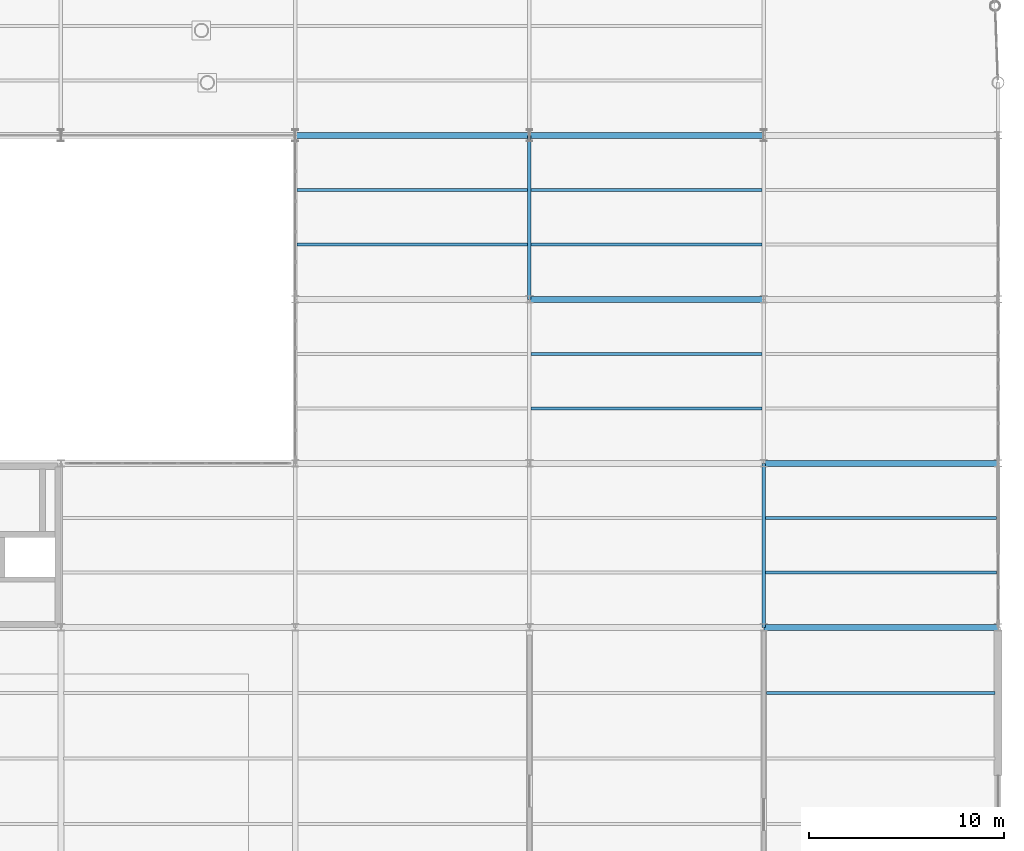
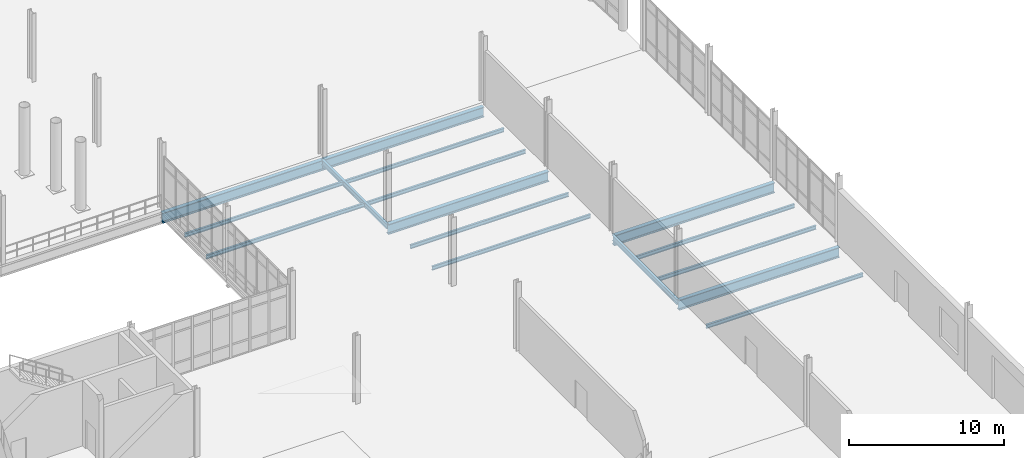
# One storey, part 68 of 111: 16 beams.
"""IFC4 building model written with IfcOpenShell, lengths in metres."""

from ifc_helpers import new_model, si_unit, direction, frame, origin, origin_2d, place, context, subcontext, project, spatial, i_section, extrude, material, material_profile, profile_set, type_object, element, save


model = new_model("IFC4")

# Units and contexts
model_context = context("Model", 3, precision=1e-05, world=origin(), true_north=direction((0.0, 1.0)))
body_context = subcontext(model_context, "Body", "Model", "MODEL_VIEW")
ifc_project = project(units=[si_unit("LENGTHUNIT", "METRE"), si_unit("AREAUNIT", "SQUARE_METRE"), si_unit("VOLUMEUNIT", "CUBIC_METRE"), si_unit("PLANEANGLEUNIT", "RADIAN"), si_unit("MASSUNIT", "GRAM", prefix="KILO"), si_unit("THERMODYNAMICTEMPERATUREUNIT", "KELVIN"), si_unit("POWERUNIT", "WATT")], contexts=[model_context])

# Site, building, storey
site_placement = place(None, origin())
site = spatial("IfcSite", under=ifc_project, at=site_placement, CompositionType="ELEMENT")
building_placement = place(site_placement, origin())
building = spatial("IfcBuilding", under=site, at=building_placement, Name="Tembeka Court Mobility Hub", CompositionType="ELEMENT")
storey_placement = place(building_placement, origin())
storey = spatial("IfcBuildingStorey", under=building, at=storey_placement, Name="L00", CompositionType="ELEMENT", Elevation=0.0)

# Beams
ifc_material = material(Name="Steel S355", Category="steel")
ifc_material_profile_1 = material_profile(ifc_material, i_section(OverallWidth=0.177978515625, OverallDepth=0.406005859375, WebThickness=0.0078125, FlangeThickness=0.0126953125, FilletRadius=0.01025390625, at=origin_2d()), Name="UKB 406x178x60")
ifc_profile_set_1 = profile_set([ifc_material_profile_1], Name="Steel S355")
beam_type_1 = type_object("IfcBeamType", Name="BM-B02", PredefinedType="BEAM", material=ifc_profile_set_1)
for number, where, z_axis, x_axis, name in (
    (1, (152.39990234375, 55.199951171875, -0.48291015625), (0.0, 1.0, 0.0), (-1.0, 0.0, 0.0), "Beam B02 (BM-L00-Y0306)"),
    (2, (164.39990234375, 38.39990234375, -0.48291015625), (0.0, 1.0, 0.0), (-1.0, 0.0, 0.0), "Beam B02 (BM-L00-Y0313)"),
):
    element("IfcBeam", number, at=place(storey_placement, frame(where, z_axis=z_axis, x_axis=x_axis)), inside=storey, type_object=beam_type_1, Name=name, PredefinedType="BEAM", context=body_context, shape_type="SweptSolid", body=[
        extrude(i_section(OverallWidth=0.177978515625, OverallDepth=0.406005859375, WebThickness=0.0078125, FlangeThickness=0.0126953125, FilletRadius=0.01025390625, at=origin_2d()), origin(), (0.0, 0.0, 1.0), 8.400146484375),
    ])
ifc_material_profile_2 = material_profile(ifc_material, i_section(OverallWidth=0.300048828125, OverallDepth=0.800048828125, WebThickness=0.017578125, FlangeThickness=0.034912109375, FilletRadius=0.030029296875, at=origin_2d()), Name="HEB 800")
ifc_profile_set_2 = profile_set([ifc_material_profile_2], Name="Steel S355")
beam_type_2 = type_object("IfcBeamType", Name="BM-G04", PredefinedType="USERDEFINED", material=ifc_profile_set_2)
for number, where, z_axis, x_axis, name in (
    (3, (164.39990234375, 38.39990234375, -0.679931640625), (1.0, 0.0, 0.0), (0.0, 1.0, 0.0), "Beam G04 (BM-L00-X0058)"),
    (4, (164.39990234375, 46.800048828125, -0.679931640625), (1.0, 0.0, 0.0), (0.0, 1.0, 0.0), "Beam G04 (BM-L00-X0074)"),
    (5, (152.39990234375, 55.199951171875, -0.679931640625), (1.0, 0.0, 0.0), (0.0, 1.0, 0.0), "Beam G04 (BM-L00-X0088)"),
    (6, (140.39990234375, 63.60009765625, -0.679931640625), (1.0, 0.0, 0.0), (0.0, 1.0, 0.0), "Beam G04 (BM-L00-X0104)"),
    (7, (152.39990234375, 63.60009765625, -0.679931640625), (1.0, 0.0, 0.0), (0.0, 1.0, 0.0), "Beam G04 (BM-L00-X0105)"),
):
    element("IfcBeam", number, at=place(storey_placement, frame(where, z_axis=z_axis, x_axis=x_axis)), inside=storey, type_object=beam_type_2, Name=name, ObjectType="GIRDER", PredefinedType="USERDEFINED", context=body_context, shape_type="SweptSolid", body=[
        extrude(i_section(OverallWidth=0.300048828125, OverallDepth=0.800048828125, WebThickness=0.017578125, FlangeThickness=0.034912109375, FilletRadius=0.030029296875, at=origin_2d()), origin(), (0.0, 0.0, 1.0), 12.0),
    ])
ifc_material_profile_3 = material_profile(ifc_material, i_section(OverallWidth=0.14990234375, OverallDepth=0.300048828125, WebThickness=0.007080078125, FlangeThickness=0.0107421875, FilletRadius=0.014892578125, at=origin_2d()), Name="IPE 300")
ifc_profile_set_3 = profile_set([ifc_material_profile_3], Name="Steel S355")
beam_type_3 = type_object("IfcBeamType", Name="BM-J04", PredefinedType="JOIST", material=ifc_profile_set_3)
for number, where, z_axis, x_axis, name in (
    (8, (140.48388671875, 58.0, -0.429931640625), (1.0, 0.0, 0.0), (0.0, 1.0, 0.0), "Beam J04 (JST-L00-0564)"),
    (9, (140.48388671875, 60.800048828125, -0.429931640625), (1.0, 0.0, 0.0), (0.0, 1.0, 0.0), "Beam J04 (JST-L00-0565)"),
    (10, (152.48388671875, 49.60009765625, -0.429931640625), (1.0, 0.0, 0.0), (0.0, 1.0, 0.0), "Beam J04 (JST-L00-0580)"),
    (11, (152.48388671875, 52.39990234375, -0.429931640625), (1.0, 0.0, 0.0), (0.0, 1.0, 0.0), "Beam J04 (JST-L00-0581)"),
    (12, (152.48388671875, 58.0, -0.429931640625), (1.0, 0.0, 0.0), (0.0, 1.0, 0.0), "Beam J04 (JST-L00-0582)"),
    (13, (152.48388671875, 60.800048828125, -0.429931640625), (1.0, 0.0, 0.0), (0.0, 1.0, 0.0), "Beam J04 (JST-L00-0583)"),
):
    element("IfcBeam", number, at=place(storey_placement, frame(where, z_axis=z_axis, x_axis=x_axis)), inside=storey, type_object=beam_type_3, Name=name, PredefinedType="JOIST", context=body_context, shape_type="SweptSolid", body=[
        extrude(i_section(OverallWidth=0.14990234375, OverallDepth=0.300048828125, WebThickness=0.007080078125, FlangeThickness=0.0107421875, FilletRadius=0.014892578125, at=origin_2d()), origin(), (0.0, 0.0, 1.0), 11.83203125),
    ])
beam_placement = place(storey_placement, frame((164.544921875, 35.0400390625, -0.429931640625), z_axis=(1.0, 0.0, 0.0), x_axis=(0.0, 1.0, 0.0)))
element("IfcBeam", 14, at=beam_placement, inside=storey, type_object=beam_type_3, Name="Beam J04 (JST-L00-0598)", PredefinedType="JOIST", context=body_context, shape_type="SweptSolid", body=[
    extrude(i_section(OverallWidth=0.14990234375, OverallDepth=0.300048828125, WebThickness=0.007080078125, FlangeThickness=0.0107421875, FilletRadius=0.014892578125, at=origin_2d()), origin(), (0.0, 0.0, 1.0), 11.7099609375),
])
for number, where, z_axis, x_axis, name in (
    (15, (164.48388671875, 41.199951171875, -0.429931640625), (1.0, 0.0, 0.0), (0.0, 1.0, 0.0), "Beam J04 (JST-L00-0599)"),
    (16, (164.48388671875, 44.0, -0.429931640625), (1.0, 0.0, 0.0), (0.0, 1.0, 0.0), "Beam J04 (JST-L00-0600)"),
):
    element("IfcBeam", number, at=place(storey_placement, frame(where, z_axis=z_axis, x_axis=x_axis)), inside=storey, type_object=beam_type_3, Name=name, PredefinedType="JOIST", context=body_context, shape_type="SweptSolid", body=[
        extrude(i_section(OverallWidth=0.14990234375, OverallDepth=0.300048828125, WebThickness=0.007080078125, FlangeThickness=0.0107421875, FilletRadius=0.014892578125, at=origin_2d()), origin(), (0.0, 0.0, 1.0), 11.83203125),
    ])

save(model, "model.ifc")
